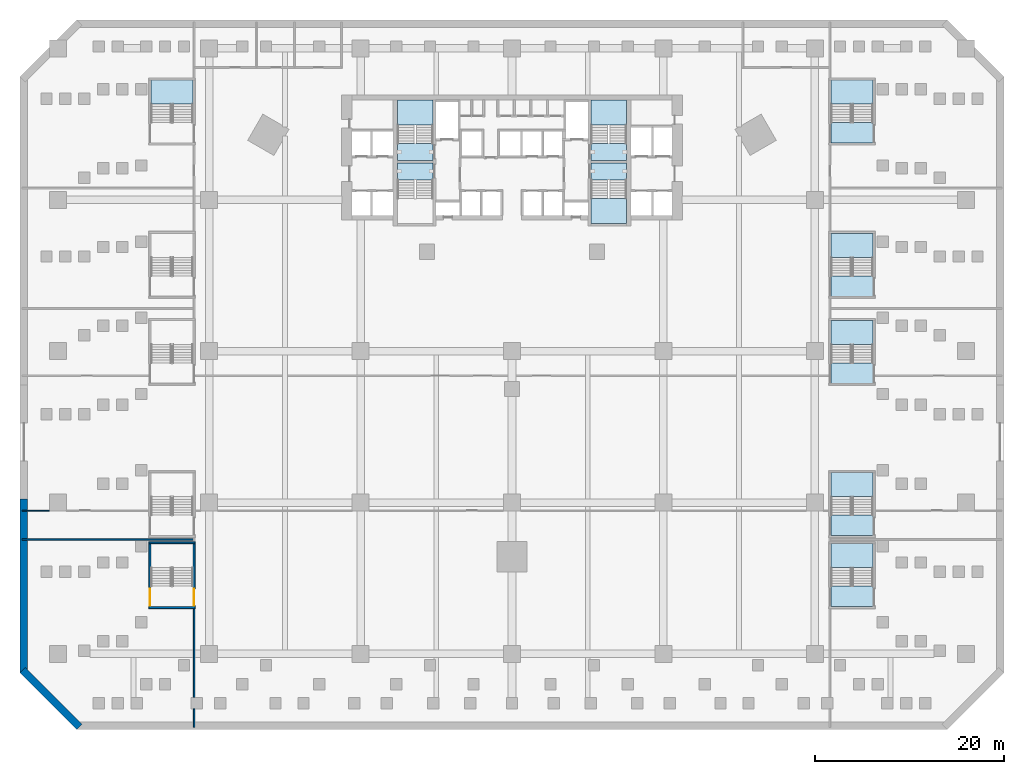
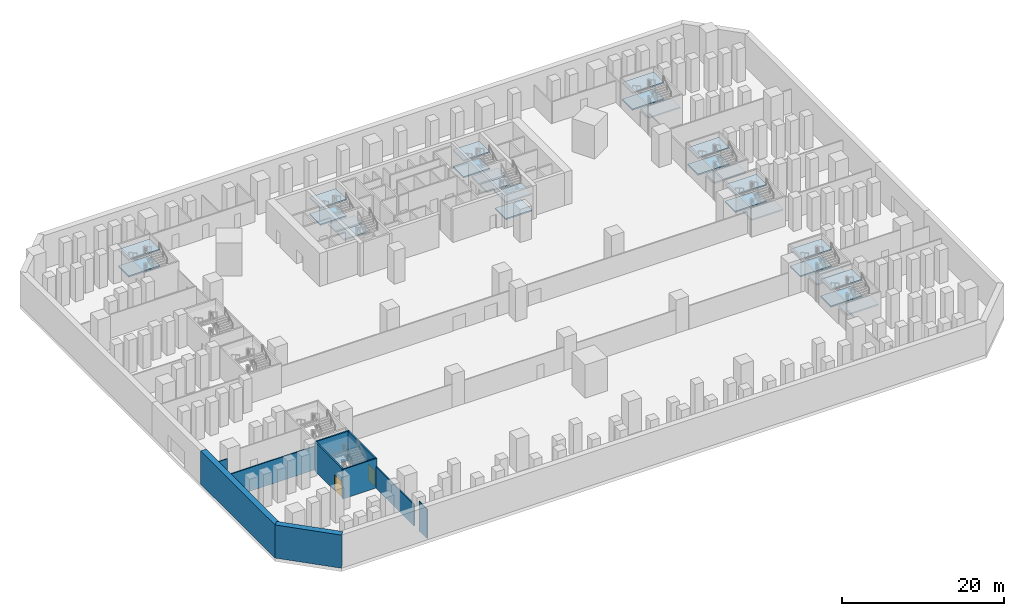
# One storey, part 3 of 24: 27 slabs, 10 walls, 2 doors, 2 openings, 10 elements without a shape of their own.
"""IFC4 building model written with IfcOpenShell, lengths in metres."""

from ifc_helpers import new_model, si_unit, direction, frame, frame_2d, origin, place, context, subcontext, project, spatial, polyline, rectangle, outline, extrude, material, layer, layer_set, type_object, element, fill, aggregate, save


model = new_model("IFC4")

# Units and contexts
model_context = context("Model", 3, precision=1e-05, world=origin(), true_north=direction((0.0, 1.0)))
body_context = subcontext(model_context, "Body", "Model", "MODEL_VIEW")
ifc_project = project(units=[si_unit("LENGTHUNIT", "METRE"), si_unit("AREAUNIT", "SQUARE_METRE"), si_unit("VOLUMEUNIT", "CUBIC_METRE"), si_unit("PLANEANGLEUNIT", "RADIAN"), si_unit("MASSUNIT", "GRAM", prefix="KILO")], contexts=[model_context])

# Site, building, storey
site_placement = place(None, origin())
site = spatial("IfcSite", under=ifc_project, at=site_placement, CompositionType="ELEMENT")
building_placement = place(site_placement, origin())
building = spatial("IfcBuilding", under=site, at=building_placement, Name="Calabash Gate Tower", CompositionType="ELEMENT")
storey_placement = place(building_placement, frame((0.0, 0.0, -5.0)))
storey = spatial("IfcBuildingStorey", under=building, at=storey_placement, Name="B1", CompositionType="ELEMENT", Elevation=-5.0)

# Stair, slabs
ifc_material_1 = material(Name="Concrete C40/50", Category="concrete")
stair_type_1 = type_object("IfcStairType", Name="Exit stair 32 risers of 156.2 mm", PredefinedType="HALF_TURN_STAIR", material=ifc_material_1)
stair_1_placement = place(storey_placement, origin())
stair_1 = element("IfcStair", 1, at=stair_1_placement, inside=storey, type_object=stair_type_1, Name="B1 Exit stair ST1", PredefinedType="HALF_TURN_STAIR")
ifc_material_2 = material(Name="Concrete C40/50", Category="concrete")
ifc_layer_1 = layer(ifc_material_2, 0.199951171875)
ifc_layer_set_1 = layer_set([ifc_layer_1], Name="Stair landing SL200")
slab_type = type_object("IfcSlabType", Name="Stair landing SL200", PredefinedType="LANDING", material=ifc_layer_set_1)
slab_1_placement = place(storey_placement, frame((0.0, 0.0, 1.050048828125)))
slab_1 = element("IfcSlab", 2, at=slab_1_placement, type_object=slab_type, Name="ST1 landing 1", PredefinedType="LANDING", context=body_context, shape_type="SweptSolid", body=[
    extrude(outline(polyline([(-8.35009765625, 15.905517578125), (-8.35009765625, 18.552490234375), (-12.10009765625, 18.552490234375), (-12.10009765625, 15.905517578125), (-8.35009765625, 15.905517578125)])), origin(), (0.0, 0.0, 1.0), 0.199951171875),
])
slab_2_placement = place(storey_placement, frame((0.0, 0.0, 2.300048828125)))
slab_2 = element("IfcSlab", 3, at=slab_2_placement, type_object=slab_type, Name="ST1 landing 2", PredefinedType="LANDING", context=body_context, shape_type="SweptSolid", body=[
    extrude(outline(polyline([(-8.35009765625, 12.152587890625), (-8.35009765625, 13.95263671875), (-12.10009765625, 13.95263671875), (-12.10009765625, 12.152587890625), (-8.35009765625, 12.152587890625)])), origin(), (0.0, 0.0, 1.0), 0.199951171875),
])
slab_3_placement = place(storey_placement, frame((0.0, 0.0, 3.550048828125)))
slab_3 = element("IfcSlab", 4, at=slab_3_placement, type_object=slab_type, Name="ST1 landing 3", PredefinedType="LANDING", context=body_context, shape_type="SweptSolid", body=[
    extrude(outline(polyline([(-8.35009765625, 15.905517578125), (-8.35009765625, 18.552490234375), (-12.10009765625, 18.552490234375), (-12.10009765625, 15.905517578125), (-8.35009765625, 15.905517578125)])), origin(), (0.0, 0.0, 1.0), 0.199951171875),
])
aggregate(stair_1, [slab_1, slab_2, slab_3])

# Stair, slab
stair_2_placement = place(storey_placement, origin())
stair_2 = element("IfcStair", 5, at=stair_2_placement, inside=storey, type_object=stair_type_1, Name="B1 Exit stair ST2", PredefinedType="HALF_TURN_STAIR")
slab_4_placement = place(storey_placement, frame((0.0, 0.0, 2.300048828125)))
slab_4 = element("IfcSlab", 6, at=slab_4_placement, type_object=slab_type, Name="ST2 landing 2", PredefinedType="LANDING", context=body_context, shape_type="SweptSolid", body=[
    extrude(outline(polyline([(-12.10009765625, 11.902587890625), (-12.10009765625, 10.1025390625), (-8.35009765625, 10.1025390625), (-8.35009765625, 11.902587890625), (-12.10009765625, 11.902587890625)])), origin(), (0.0, 0.0, 1.0), 0.199951171875),
])
aggregate(stair_2, [slab_4])

# Stair, slabs
stair_3_placement = place(storey_placement, origin())
stair_3 = element("IfcStair", 7, at=stair_3_placement, inside=storey, type_object=stair_type_1, Name="B1 Exit stair ST3", PredefinedType="HALF_TURN_STAIR")
slab_5_placement = place(storey_placement, frame((0.0, 0.0, 1.050048828125)))
slab_5 = element("IfcSlab", 8, at=slab_5_placement, type_object=slab_type, Name="ST3 landing 1", PredefinedType="LANDING", context=body_context, shape_type="SweptSolid", body=[
    extrude(outline(polyline([(12.10009765625, 15.905517578125), (12.10009765625, 18.552490234375), (8.35009765625, 18.552490234375), (8.35009765625, 15.905517578125), (12.10009765625, 15.905517578125)])), origin(), (0.0, 0.0, 1.0), 0.199951171875),
])
slab_6_placement = place(storey_placement, frame((0.0, 0.0, 2.300048828125)))
slab_6 = element("IfcSlab", 9, at=slab_6_placement, type_object=slab_type, Name="ST3 landing 2", PredefinedType="LANDING", context=body_context, shape_type="SweptSolid", body=[
    extrude(outline(polyline([(12.10009765625, 12.152587890625), (12.10009765625, 13.95263671875), (8.35009765625, 13.95263671875), (8.35009765625, 12.152587890625), (12.10009765625, 12.152587890625)])), origin(), (0.0, 0.0, 1.0), 0.199951171875),
])
slab_7_placement = place(storey_placement, frame((0.0, 0.0, 3.550048828125)))
slab_7 = element("IfcSlab", 10, at=slab_7_placement, type_object=slab_type, Name="ST3 landing 3", PredefinedType="LANDING", context=body_context, shape_type="SweptSolid", body=[
    extrude(outline(polyline([(12.10009765625, 15.905517578125), (12.10009765625, 18.552490234375), (8.35009765625, 18.552490234375), (8.35009765625, 15.905517578125), (12.10009765625, 15.905517578125)])), origin(), (0.0, 0.0, 1.0), 0.199951171875),
])
aggregate(stair_3, [slab_5, slab_6, slab_7])

stair_4_placement = place(storey_placement, origin())
stair_4 = element("IfcStair", 11, at=stair_4_placement, inside=storey, type_object=stair_type_1, Name="B1 Exit stair ST4", PredefinedType="HALF_TURN_STAIR")
slab_8_placement = place(storey_placement, frame((0.0, 0.0, 1.050048828125)))
slab_8 = element("IfcSlab", 12, at=slab_8_placement, type_object=slab_type, Name="ST4 landing 1", PredefinedType="LANDING", context=body_context, shape_type="SweptSolid", body=[
    extrude(outline(polyline([(8.35009765625, 8.149658203125), (8.35009765625, 5.502685546875), (12.10009765625, 5.502685546875), (12.10009765625, 8.149658203125), (8.35009765625, 8.149658203125)])), origin(), (0.0, 0.0, 1.0), 0.199951171875),
])
slab_9_placement = place(storey_placement, frame((0.0, 0.0, 2.300048828125)))
slab_9 = element("IfcSlab", 13, at=slab_9_placement, type_object=slab_type, Name="ST4 landing 2", PredefinedType="LANDING", context=body_context, shape_type="SweptSolid", body=[
    extrude(outline(polyline([(8.35009765625, 11.902587890625), (8.35009765625, 10.1025390625), (12.10009765625, 10.1025390625), (12.10009765625, 11.902587890625), (8.35009765625, 11.902587890625)])), origin(), (0.0, 0.0, 1.0), 0.199951171875),
])
slab_10_placement = place(storey_placement, frame((0.0, 0.0, 3.550048828125)))
slab_10 = element("IfcSlab", 14, at=slab_10_placement, type_object=slab_type, Name="ST4 landing 3", PredefinedType="LANDING", context=body_context, shape_type="SweptSolid", body=[
    extrude(outline(polyline([(8.35009765625, 8.149658203125), (8.35009765625, 5.502685546875), (12.10009765625, 5.502685546875), (12.10009765625, 8.149658203125), (8.35009765625, 8.149658203125)])), origin(), (0.0, 0.0, 1.0), 0.199951171875),
])
aggregate(stair_4, [slab_8, slab_9, slab_10])

ifc_material_3 = material(Name="Concrete C40/50", Category="concrete")
stair_type_2 = type_object("IfcStairType", Name="Public stair 32 risers of 156.2 mm", PredefinedType="HALF_TURN_STAIR", material=ifc_material_3)
stair_5_placement = place(storey_placement, origin())
stair_5 = element("IfcStair", 15, at=stair_5_placement, inside=storey, type_object=stair_type_2, Name="B1 Public Stair PS5", PredefinedType="HALF_TURN_STAIR")
slab_11_placement = place(storey_placement, frame((0.0, 0.0, 1.050048828125)))
slab_11 = element("IfcSlab", 16, at=slab_11_placement, type_object=slab_type, Name="PS5 landing 1", PredefinedType="LANDING", context=body_context, shape_type="SweptSolid", body=[
    extrude(outline(polyline([(-33.699951171875, 18.113037109375), (-33.699951171875, 20.64990234375), (-38.169921875, 20.64990234375), (-38.169921875, 18.113037109375), (-33.699951171875, 18.113037109375)])), origin(), (0.0, 0.0, 1.0), 0.199951171875),
])
slab_12_placement = place(storey_placement, frame((0.0, 0.0, 3.550048828125)))
slab_12 = element("IfcSlab", 17, at=slab_12_placement, type_object=slab_type, Name="PS5 landing 3", PredefinedType="LANDING", context=body_context, shape_type="SweptSolid", body=[
    extrude(outline(polyline([(-33.699951171875, 18.113037109375), (-33.699951171875, 20.64990234375), (-38.169921875, 20.64990234375), (-38.169921875, 18.113037109375), (-33.699951171875, 18.113037109375)])), origin(), (0.0, 0.0, 1.0), 0.199951171875),
])
aggregate(stair_5, [slab_11, slab_12])

stair_6_placement = place(storey_placement, origin())
stair_6 = element("IfcStair", 18, at=stair_6_placement, inside=storey, type_object=stair_type_2, Name="B1 Public Stair PS6", PredefinedType="HALF_TURN_STAIR")
slab_13_placement = place(storey_placement, frame((0.0, 0.0, 1.050048828125)))
slab_13 = element("IfcSlab", 19, at=slab_13_placement, type_object=slab_type, Name="PS6 landing 1", PredefinedType="LANDING", context=body_context, shape_type="SweptSolid", body=[
    extrude(outline(polyline([(38.169921875, -30.886962890625), (38.169921875, -28.35009765625), (33.699951171875, -28.35009765625), (33.699951171875, -30.886962890625), (38.169921875, -30.886962890625)])), origin(), (0.0, 0.0, 1.0), 0.199951171875),
])
slab_14_placement = place(storey_placement, frame((0.0, 0.0, 2.300048828125)))
slab_14 = element("IfcSlab", 20, at=slab_14_placement, type_object=slab_type, Name="PS6 landing 2", PredefinedType="LANDING", context=body_context, shape_type="SweptSolid", body=[
    extrude(outline(polyline([(38.169921875, -35.0), (38.169921875, -32.840087890625), (33.699951171875, -32.840087890625), (33.699951171875, -35.0), (38.169921875, -35.0)])), origin(), (0.0, 0.0, 1.0), 0.199951171875),
])
slab_15_placement = place(storey_placement, frame((0.0, 0.0, 3.550048828125)))
slab_15 = element("IfcSlab", 21, at=slab_15_placement, type_object=slab_type, Name="PS6 landing 3", PredefinedType="LANDING", context=body_context, shape_type="SweptSolid", body=[
    extrude(outline(polyline([(38.169921875, -30.886962890625), (38.169921875, -28.35009765625), (33.699951171875, -28.35009765625), (33.699951171875, -30.886962890625), (38.169921875, -30.886962890625)])), origin(), (0.0, 0.0, 1.0), 0.199951171875),
])
aggregate(stair_6, [slab_13, slab_14, slab_15])

stair_7_placement = place(storey_placement, origin())
stair_7 = element("IfcStair", 22, at=stair_7_placement, inside=storey, type_object=stair_type_2, Name="B1 Public Stair PS7", PredefinedType="HALF_TURN_STAIR")
slab_16_placement = place(storey_placement, frame((0.0, 0.0, 1.050048828125)))
slab_16 = element("IfcSlab", 23, at=slab_16_placement, type_object=slab_type, Name="PS7 landing 1", PredefinedType="LANDING", context=body_context, shape_type="SweptSolid", body=[
    extrude(outline(polyline([(38.169921875, -23.386962890625), (38.169921875, -20.85009765625), (33.699951171875, -20.85009765625), (33.699951171875, -23.386962890625), (38.169921875, -23.386962890625)])), origin(), (0.0, 0.0, 1.0), 0.199951171875),
])
slab_17_placement = place(storey_placement, frame((0.0, 0.0, 2.300048828125)))
slab_17 = element("IfcSlab", 24, at=slab_17_placement, type_object=slab_type, Name="PS7 landing 2", PredefinedType="LANDING", context=body_context, shape_type="SweptSolid", body=[
    extrude(outline(polyline([(38.169921875, -27.5), (38.169921875, -25.340087890625), (33.699951171875, -25.340087890625), (33.699951171875, -27.5), (38.169921875, -27.5)])), origin(), (0.0, 0.0, 1.0), 0.199951171875),
])
slab_18_placement = place(storey_placement, frame((0.0, 0.0, 3.550048828125)))
slab_18 = element("IfcSlab", 25, at=slab_18_placement, type_object=slab_type, Name="PS7 landing 3", PredefinedType="LANDING", context=body_context, shape_type="SweptSolid", body=[
    extrude(outline(polyline([(38.169921875, -23.386962890625), (38.169921875, -20.85009765625), (33.699951171875, -20.85009765625), (33.699951171875, -23.386962890625), (38.169921875, -23.386962890625)])), origin(), (0.0, 0.0, 1.0), 0.199951171875),
])
aggregate(stair_7, [slab_16, slab_17, slab_18])

stair_8_placement = place(storey_placement, origin())
stair_8 = element("IfcStair", 26, at=stair_8_placement, inside=storey, type_object=stair_type_2, Name="B1 Public Stair PS8", PredefinedType="HALF_TURN_STAIR")
slab_19_placement = place(storey_placement, frame((0.0, 0.0, 1.050048828125)))
slab_19 = element("IfcSlab", 27, at=slab_19_placement, type_object=slab_type, Name="PS8 landing 1", PredefinedType="LANDING", context=body_context, shape_type="SweptSolid", body=[
    extrude(outline(polyline([(38.169921875, -7.287109375), (38.169921875, -4.75), (33.699951171875, -4.75), (33.699951171875, -7.287109375), (38.169921875, -7.287109375)])), origin(), (0.0, 0.0, 1.0), 0.199951171875),
])
slab_20_placement = place(storey_placement, frame((0.0, 0.0, 2.300048828125)))
slab_20 = element("IfcSlab", 28, at=slab_20_placement, type_object=slab_type, Name="PS8 landing 2", PredefinedType="LANDING", context=body_context, shape_type="SweptSolid", body=[
    extrude(outline(polyline([(38.169921875, -11.39990234375), (38.169921875, -9.239990234375), (33.699951171875, -9.239990234375), (33.699951171875, -11.39990234375), (38.169921875, -11.39990234375)])), origin(), (0.0, 0.0, 1.0), 0.199951171875),
])
slab_21_placement = place(storey_placement, frame((0.0, 0.0, 3.550048828125)))
slab_21 = element("IfcSlab", 29, at=slab_21_placement, type_object=slab_type, Name="PS8 landing 3", PredefinedType="LANDING", context=body_context, shape_type="SweptSolid", body=[
    extrude(outline(polyline([(38.169921875, -7.287109375), (38.169921875, -4.75), (33.699951171875, -4.75), (33.699951171875, -7.287109375), (38.169921875, -7.287109375)])), origin(), (0.0, 0.0, 1.0), 0.199951171875),
])
aggregate(stair_8, [slab_19, slab_20, slab_21])

stair_9_placement = place(storey_placement, origin())
stair_9 = element("IfcStair", 30, at=stair_9_placement, inside=storey, type_object=stair_type_2, Name="B1 Public Stair PS9", PredefinedType="HALF_TURN_STAIR")
slab_22_placement = place(storey_placement, frame((0.0, 0.0, 1.050048828125)))
slab_22 = element("IfcSlab", 31, at=slab_22_placement, type_object=slab_type, Name="PS9 landing 1", PredefinedType="LANDING", context=body_context, shape_type="SweptSolid", body=[
    extrude(outline(polyline([(38.169921875, 1.9130859375), (38.169921875, 4.449951171875), (33.699951171875, 4.449951171875), (33.699951171875, 1.9130859375), (38.169921875, 1.9130859375)])), origin(), (0.0, 0.0, 1.0), 0.199951171875),
])
slab_23_placement = place(storey_placement, frame((0.0, 0.0, 2.300048828125)))
slab_23 = element("IfcSlab", 32, at=slab_23_placement, type_object=slab_type, Name="PS9 landing 2", PredefinedType="LANDING", context=body_context, shape_type="SweptSolid", body=[
    extrude(outline(polyline([(38.169921875, -2.199951171875), (38.169921875, -0.0400390625), (33.699951171875, -0.0400390625), (33.699951171875, -2.199951171875), (38.169921875, -2.199951171875)])), origin(), (0.0, 0.0, 1.0), 0.199951171875),
])
slab_24_placement = place(storey_placement, frame((0.0, 0.0, 3.550048828125)))
slab_24 = element("IfcSlab", 33, at=slab_24_placement, type_object=slab_type, Name="PS9 landing 3", PredefinedType="LANDING", context=body_context, shape_type="SweptSolid", body=[
    extrude(outline(polyline([(38.169921875, 1.9130859375), (38.169921875, 4.449951171875), (33.699951171875, 4.449951171875), (33.699951171875, 1.9130859375), (38.169921875, 1.9130859375)])), origin(), (0.0, 0.0, 1.0), 0.199951171875),
])
aggregate(stair_9, [slab_22, slab_23, slab_24])

stair_10_placement = place(storey_placement, origin())
stair_10 = element("IfcStair", 34, at=stair_10_placement, inside=storey, type_object=stair_type_2, Name="B1 Public Stair PS10", PredefinedType="HALF_TURN_STAIR")
slab_25_placement = place(storey_placement, frame((0.0, 0.0, 1.050048828125)))
slab_25 = element("IfcSlab", 35, at=slab_25_placement, type_object=slab_type, Name="PS10 landing 1", PredefinedType="LANDING", context=body_context, shape_type="SweptSolid", body=[
    extrude(outline(polyline([(38.169921875, 18.113037109375), (38.169921875, 20.64990234375), (33.699951171875, 20.64990234375), (33.699951171875, 18.113037109375), (38.169921875, 18.113037109375)])), origin(), (0.0, 0.0, 1.0), 0.199951171875),
])
slab_26_placement = place(storey_placement, frame((0.0, 0.0, 2.300048828125)))
slab_26 = element("IfcSlab", 36, at=slab_26_placement, type_object=slab_type, Name="PS10 landing 2", PredefinedType="LANDING", context=body_context, shape_type="SweptSolid", body=[
    extrude(outline(polyline([(38.169921875, 14.0), (38.169921875, 16.159912109375), (33.699951171875, 16.159912109375), (33.699951171875, 14.0), (38.169921875, 14.0)])), origin(), (0.0, 0.0, 1.0), 0.199951171875),
])
slab_27_placement = place(storey_placement, frame((0.0, 0.0, 3.550048828125)))
slab_27 = element("IfcSlab", 37, at=slab_27_placement, type_object=slab_type, Name="PS10 landing 3", PredefinedType="LANDING", context=body_context, shape_type="SweptSolid", body=[
    extrude(outline(polyline([(38.169921875, 18.113037109375), (38.169921875, 20.64990234375), (33.699951171875, 20.64990234375), (33.699951171875, 18.113037109375), (38.169921875, 18.113037109375)])), origin(), (0.0, 0.0, 1.0), 0.199951171875),
])
aggregate(stair_10, [slab_25, slab_26, slab_27])

# Walls
ifc_material_4 = material(Name="Concrete C60/75", Category="concrete")
ifc_layer_2 = layer(ifc_material_4, 0.800048828125)
ifc_layer_set_2 = layer_set([ifc_layer_2], Name="Diaphragm wall 800 Concrete C60/75")
wall_type_1 = type_object("IfcWallType", Name="Diaphragm wall 800 Concrete C60/75", PredefinedType="SHEAR", material=ifc_layer_set_2)
wall_1_placement = place(storey_placement, frame((-51.60009765625, -23.60009765625, 0.0), z_axis=(0.0, 0.0, 1.0), x_axis=(0.0, -1.0, 0.0)))
element("IfcWall", 38, at=wall_1_placement, inside=storey, type_object=wall_type_1, Name="Diaphragm wall B1", PredefinedType="SHEAR", context=body_context, shape_type="SweptSolid", body=[
    extrude(rectangle(XDim=18.39990234375, YDim=0.800048828125, at=frame_2d((9.199951171875, 0.0))), origin(), (0.0, 0.0, 1.0), 5.0),
])
wall_2_placement = place(storey_placement, frame((-51.717041015625, -41.717041015625, 0.0), z_axis=(0.0, 0.0, 1.0), x_axis=(0.707106781187, -0.707106781187, 0.0)))
element("IfcWall", 39, at=wall_2_placement, inside=storey, type_object=wall_type_1, Name="Diaphragm wall B1", PredefinedType="SHEAR", context=body_context, shape_type="SweptSolid", body=[
    extrude(rectangle(XDim=8.4853515625, YDim=0.800048828125, at=frame_2d((4.24267578125, 0.0))), origin(), (0.0, 0.0, 1.0), 5.0),
])
ifc_material_5 = material(Name="Gypsum board on steel studs, mineral wool", Category="steel")
ifc_layer_3 = layer(ifc_material_5, 0.14990234375)
ifc_layer_set_3 = layer_set([ifc_layer_3], Name="Partition 150 gypsum board")
wall_type_2 = type_object("IfcWallType", Name="Partition 150 gypsum board", PredefinedType="PARTITIONING", material=ifc_layer_set_3)
wall_3_placement = place(storey_placement, frame((-33.60009765625, -47.77490234375, 0.0), z_axis=(0.0, 0.0, 1.0), x_axis=(0.0, 1.0, 0.0)))
element("IfcWall", 40, at=wall_3_placement, inside=storey, type_object=wall_type_2, Name="Partition", PredefinedType="PARTITIONING", context=body_context, shape_type="SweptSolid", body=[
    extrude(rectangle(XDim=1.974853515625, YDim=0.14990234375, at=frame_2d((0.9873046875, 0.0))), origin(), (0.0, 0.0, 1.0), 4.449951171875),
])
wall_4_placement = place(storey_placement, frame((-33.60009765625, -44.60009765625, 0.0), z_axis=(0.0, 0.0, 1.0), x_axis=(0.0, 1.0, 0.0)))
element("IfcWall", 41, at=wall_4_placement, inside=storey, type_object=wall_type_2, Name="Partition", PredefinedType="PARTITIONING", context=body_context, shape_type="SweptSolid", body=[
    extrude(rectangle(XDim=9.360107421875, YDim=0.14990234375, at=frame_2d((4.68017578125, 0.0))), origin(), (0.0, 0.0, 1.0), 3.25),
])
wall_5_placement = place(storey_placement, frame((-51.77490234375, -27.925048828125, 0.0), z_axis=(0.0, 0.0, 1.0), x_axis=(1.0, 0.0, 0.0)))
element("IfcWall", 42, at=wall_5_placement, inside=storey, type_object=wall_type_2, Name="Partition", PredefinedType="PARTITIONING", context=body_context, shape_type="SweptSolid", body=[
    extrude(rectangle(XDim=18.099853515625, YDim=0.14990234375, at=frame_2d((9.0498046875, 0.0))), origin(), (0.0, 0.0, 1.0), 3.550048828125),
])
wall_6_placement = place(storey_placement, frame((-51.77490234375, -24.857421875, 0.0), z_axis=(0.0, 0.0, 1.0), x_axis=(1.0, 0.0, 0.0)))
element("IfcWall", 43, at=wall_6_placement, inside=storey, type_object=wall_type_2, Name="Partition", PredefinedType="PARTITIONING", context=body_context, shape_type="SweptSolid", body=[
    extrude(rectangle(XDim=2.875, YDim=0.125, at=frame_2d((1.4375, 0.0))), origin(), (0.0, 0.0, 1.0), 3.550048828125),
])
ifc_material_6 = material(Name="Concrete C40/50", Category="concrete")
ifc_layer_4 = layer(ifc_material_6, 0.199951171875)
ifc_layer_set_4 = layer_set([ifc_layer_4], Name="Stair wall 200 Concrete C40/50")
wall_type_3 = type_object("IfcWallType", Name="Stair wall 200 Concrete C40/50", PredefinedType="SOLIDWALL", material=ifc_layer_set_4)
for number, where, z_axis, x_axis, name in (
    (44, (-38.3701171875, -35.10009765625, 0.0), (0.0, 0.0, 1.0), (1.0, 0.0, 0.0), "Stair wall"),
    (45, (-38.3701171875, -28.25, 0.0), (0.0, 0.0, 1.0), (1.0, 0.0, 0.0), "Stair wall"),
):
    element("IfcWall", number, at=place(storey_placement, frame(where, z_axis=z_axis, x_axis=x_axis)), inside=storey, type_object=wall_type_3, Name=name, PredefinedType="SOLIDWALL", context=body_context, shape_type="SweptSolid", body=[
        extrude(rectangle(XDim=4.8701171875, YDim=0.199951171875, at=frame_2d((2.43505859375, 0.0))), origin(), (0.0, 0.0, 1.0), 4.449951171875),
    ])

# Wall, opening, door
wall_7_placement = place(storey_placement, frame((-38.27001953125, -35.0, 0.0), z_axis=(0.0, 0.0, 1.0), x_axis=(0.0, 1.0, 0.0)))
wall_7 = element("IfcWall", 46, at=wall_7_placement, inside=storey, type_object=wall_type_3, Name="Stair wall", PredefinedType="SOLIDWALL", context=body_context, shape_type="SweptSolid", body=[
    extrude(rectangle(XDim=6.64990234375, YDim=0.199951171875, at=frame_2d((3.324951171875, 0.0))), origin(), (0.0, 0.0, 1.0), 4.449951171875),
])
opening_1_placement = place(wall_7_placement, frame((0.10009765625, 0.0, 0.0)))
opening_1 = element("IfcOpeningElement", 47, at=opening_1_placement, cuts=wall_7, Name="Opening B1-023", PredefinedType="OPENING", context=body_context, shape_type="SweptSolid", body=[
    extrude(rectangle(XDim=1.800048828125, YDim=2.39990234375, at=frame_2d((0.89990234375, 1.199951171875))), frame((0.0, 0.10986328125, 0.0), z_axis=(0.0, -1.0, 0.0), x_axis=(1.0, 0.0, 0.0)), (0.0, 0.0, 1.0), 0.219970703125),
])
ifc_material_7 = material(Name="Steel fire door set with fire-resisting glazing", Category="steel")
door_type = type_object("IfcDoorType", Name="Double fire door D16 1800x2400 FD90", OperationType="DOUBLE_DOOR_SINGLE_SWING", PredefinedType="DOOR", material=ifc_material_7)
door_1_placement = place(opening_1_placement, origin())
door_1 = element("IfcDoor", 48, at=door_1_placement, inside=storey, type_object=door_type, Name="Exit stair door PS1", OperationType="DOUBLE_DOOR_SINGLE_SWING", OverallHeight=2.39990234375, OverallWidth=1.800048828125, PredefinedType="DOOR", context=body_context, shape_type="SweptSolid", body=[
    extrude(rectangle(XDim=1.800048828125, YDim=2.39990234375, at=frame_2d((0.89990234375, 1.199951171875))), frame((0.0, 0.02490234375, 0.0), z_axis=(0.0, -1.0, 0.0), x_axis=(1.0, 0.0, 0.0)), (0.0, 0.0, 1.0), 0.050048828125),
])
fill(opening_1, door_1)

wall_8_placement = place(storey_placement, frame((-33.60009765625, -35.0, 0.0), z_axis=(0.0, 0.0, 1.0), x_axis=(0.0, 1.0, 0.0)))
wall_8 = element("IfcWall", 49, at=wall_8_placement, inside=storey, type_object=wall_type_3, Name="Stair wall", PredefinedType="SOLIDWALL", context=body_context, shape_type="SweptSolid", body=[
    extrude(rectangle(XDim=6.64990234375, YDim=0.199951171875, at=frame_2d((3.324951171875, 0.0))), origin(), (0.0, 0.0, 1.0), 4.449951171875),
])
opening_2_placement = place(wall_8_placement, frame((0.10009765625, 0.0, 0.0)))
opening_2 = element("IfcOpeningElement", 50, at=opening_2_placement, cuts=wall_8, Name="Opening B1-022", PredefinedType="OPENING", context=body_context, shape_type="SweptSolid", body=[
    extrude(rectangle(XDim=1.800048828125, YDim=2.39990234375, at=frame_2d((0.89990234375, 1.199951171875))), frame((0.0, 0.10986328125, 0.0), z_axis=(0.0, -1.0, 0.0), x_axis=(1.0, 0.0, 0.0)), (0.0, 0.0, 1.0), 0.219970703125),
])
door_2_placement = place(opening_2_placement, origin())
door_2 = element("IfcDoor", 51, at=door_2_placement, inside=storey, type_object=door_type, Name="Exit stair door PS1", OperationType="DOUBLE_DOOR_SINGLE_SWING", OverallHeight=2.39990234375, OverallWidth=1.800048828125, PredefinedType="DOOR", context=body_context, shape_type="SweptSolid", body=[
    extrude(rectangle(XDim=1.800048828125, YDim=2.39990234375, at=frame_2d((0.89990234375, 1.199951171875))), frame((0.0, 0.02490234375, 0.0), z_axis=(0.0, -1.0, 0.0), x_axis=(1.0, 0.0, 0.0)), (0.0, 0.0, 1.0), 0.050048828125),
])
fill(opening_2, door_2)

save(model, "model.ifc")
